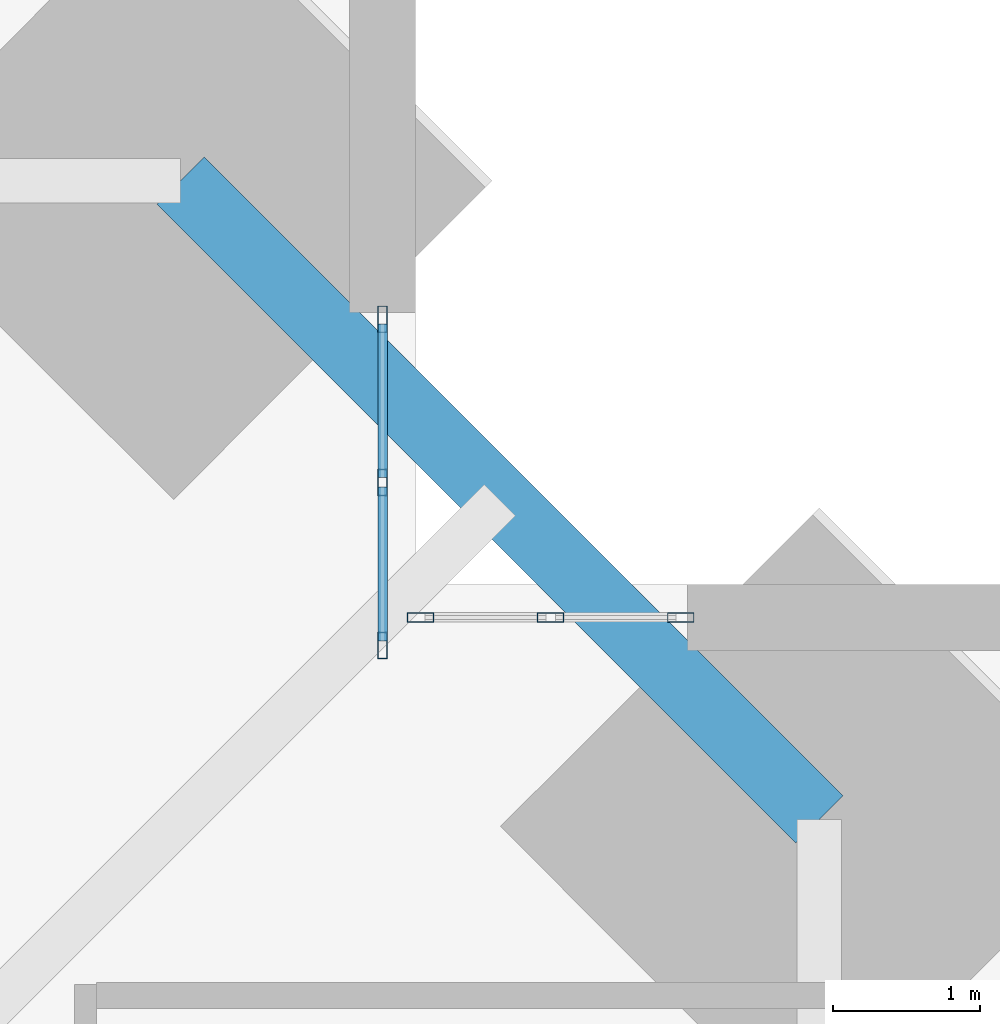
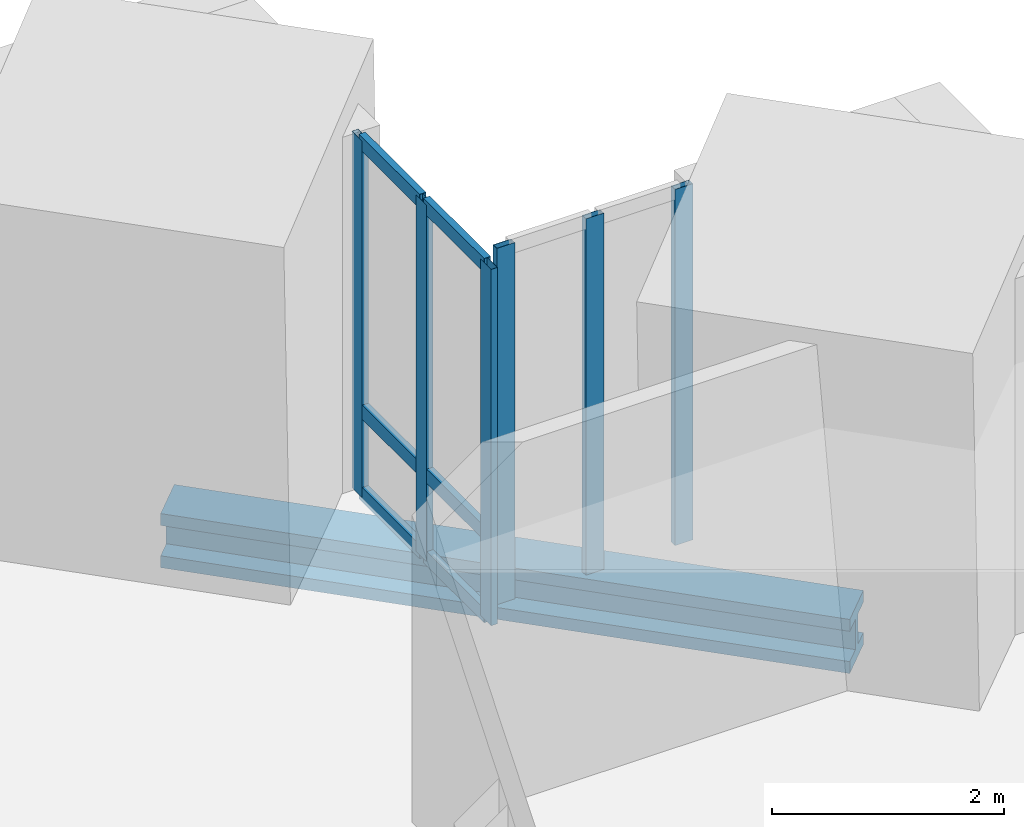
# One storey, part 8 of 15: 12 members, 1 beam, 2 elements without a shape of their own.
"""IFC4 building model written with IfcOpenShell, lengths in metres."""

from ifc_helpers import new_model, si_unit, direction, frame, origin, origin_2d, place, context, subcontext, project, spatial, hollow_rectangle, i_section, extrude, material, material_profile, profile_set, type_object, element, aggregate, save


model = new_model("IFC4")

# Units and contexts
model_context = context("Model", 3, precision=1e-05, world=origin(), true_north=direction((0.0, 1.0)))
body_context = subcontext(model_context, "Body", "Model", "MODEL_VIEW")
ifc_project = project(units=[si_unit("LENGTHUNIT", "METRE"), si_unit("AREAUNIT", "SQUARE_METRE"), si_unit("VOLUMEUNIT", "CUBIC_METRE"), si_unit("PLANEANGLEUNIT", "RADIAN"), si_unit("MASSUNIT", "GRAM", prefix="KILO")], contexts=[model_context])

# Site, building, storey
site_placement = place(None, origin())
site = spatial("IfcSite", under=ifc_project, at=site_placement, CompositionType="ELEMENT")
building_placement = place(site_placement, origin())
building = spatial("IfcBuilding", under=site, at=building_placement, Name="Peilmerk Tower", CompositionType="ELEMENT")
storey_placement = place(building_placement, frame((0.0, 0.0, 293.800048828125)))
storey = spatial("IfcBuildingStorey", under=building, at=storey_placement, Name="L66", CompositionType="ELEMENT", Elevation=293.800048828125)

# Beam
ifc_material_1 = material(Name="Steel S460", Category="steel")
ifc_material_profile_1 = material_profile(ifc_material_1, i_section(OverallWidth=0.4541015625, OverallDepth=0.569091796875, WebThickness=0.077880859375, FlangeThickness=0.125, at=origin_2d()), Name="HD 400x1086")
ifc_profile_set_1 = profile_set([ifc_material_profile_1], Name="Steel S460")
beam_type = type_object("IfcBeamType", Name="B17 HD 400x1086 edge beam", PredefinedType="SPANDREL", material=ifc_profile_set_1)
beam_placement = place(storey_placement, frame((14.699951171875, 19.050048828125, -0.45458984375), z_axis=(0.707106781187, -0.707106781187, 0.0), x_axis=(0.707106781187, 0.707106781187, 0.0)))
element("IfcBeam", 1, at=beam_placement, inside=storey, type_object=beam_type, Name="Notch beam L66", PredefinedType="SPANDREL", context=body_context, shape_type="SweptSolid", body=[
    extrude(i_section(OverallWidth=0.4541015625, OverallDepth=0.569091796875, WebThickness=0.077880859375, FlangeThickness=0.125, at=origin_2d()), origin(), (0.0, 0.0, 1.0), 6.15185546875),
])

# Curtain wall, members
ifc_material_2 = material(Name="Aluminium stick curtain wall", Category="aluminium")
curtain_wall_type = type_object("IfcCurtainWallType", Name="CW4 stick curtain wall, 2250 module", PredefinedType="NOTDEFINED", material=ifc_material_2)
curtain_wall_1_placement = place(storey_placement, origin())
curtain_wall_1 = element("IfcCurtainWall", 2, at=curtain_wall_1_placement, inside=storey, type_object=curtain_wall_type, Name="Curtain wall CW4 NEA L66", PredefinedType="NOTDEFINED")
ifc_material_3 = material(Name="Aluminium EN AW-6063 T6", Category="aluminium")
ifc_material_profile_2 = material_profile(ifc_material_3, hollow_rectangle(XDim=0.06494140625, YDim=0.179931640625, WallThickness=0.0029296875, at=origin_2d()), Name="AL 180x65x3")
ifc_profile_set_2 = profile_set([ifc_material_profile_2], Name="Aluminium EN AW-6063 T6")
member_type_1 = type_object("IfcMemberType", Name="CW4-M AL 180x65x3 mullion", PredefinedType="MULLION", material=ifc_profile_set_2)
member_1_placement = place(storey_placement, frame((16.074951171875, 15.882568359375, 0.0), z_axis=(0.0, 0.0, 1.0), x_axis=(-1.0, 0.0, 0.0)))
member_1 = element("IfcMember", 3, at=member_1_placement, type_object=member_type_1, Name="CW4 mullion 1", PredefinedType="MULLION", context=body_context, shape_type="SweptSolid", body=[
    extrude(hollow_rectangle(XDim=0.06494140625, YDim=0.179931640625, WallThickness=0.0029296875, at=origin_2d()), origin(), (0.0, 0.0, 1.0), 3.75),
])
member_2_placement = place(storey_placement, frame((16.074951171875, 16.994384765625, 0.0), z_axis=(0.0, 0.0, 1.0), x_axis=(-1.0, 0.0, 0.0)))
member_2 = element("IfcMember", 4, at=member_2_placement, type_object=member_type_1, Name="CW4 mullion 2", PredefinedType="MULLION", context=body_context, shape_type="SweptSolid", body=[
    extrude(hollow_rectangle(XDim=0.06494140625, YDim=0.179931640625, WallThickness=0.0029296875, at=origin_2d()), origin(), (0.0, 0.0, 1.0), 3.75),
])
member_3_placement = place(storey_placement, frame((16.074951171875, 18.106201171875, 0.0), z_axis=(0.0, 0.0, 1.0), x_axis=(-1.0, 0.0, 0.0)))
member_3 = element("IfcMember", 5, at=member_3_placement, type_object=member_type_1, Name="CW4 mullion 3", PredefinedType="MULLION", context=body_context, shape_type="SweptSolid", body=[
    extrude(hollow_rectangle(XDim=0.06494140625, YDim=0.179931640625, WallThickness=0.0029296875, at=origin_2d()), origin(), (0.0, 0.0, 1.0), 3.75),
])

curtain_wall_2_placement = place(storey_placement, origin())
curtain_wall_2 = element("IfcCurtainWall", 6, at=curtain_wall_2_placement, inside=storey, type_object=curtain_wall_type, Name="Curtain wall CW4 NEB L66", PredefinedType="NOTDEFINED")
member_4_placement = place(storey_placement, frame((16.33251953125, 16.074951171875, 0.0), z_axis=(0.0, 0.0, 1.0), x_axis=(0.0, 1.0, 0.0)))
member_4 = element("IfcMember", 7, at=member_4_placement, type_object=member_type_1, Name="CW4 mullion 1", PredefinedType="MULLION", context=body_context, shape_type="SweptSolid", body=[
    extrude(hollow_rectangle(XDim=0.06494140625, YDim=0.179931640625, WallThickness=0.0029296875, at=origin_2d()), origin(), (0.0, 0.0, 1.0), 3.75),
])
member_5_placement = place(storey_placement, frame((17.21923828125, 16.074951171875, 0.0), z_axis=(0.0, 0.0, 1.0), x_axis=(0.0, 1.0, 0.0)))
member_5 = element("IfcMember", 8, at=member_5_placement, type_object=member_type_1, Name="CW4 mullion 2", PredefinedType="MULLION", context=body_context, shape_type="SweptSolid", body=[
    extrude(hollow_rectangle(XDim=0.06494140625, YDim=0.179931640625, WallThickness=0.0029296875, at=origin_2d()), origin(), (0.0, 0.0, 1.0), 3.75),
])
member_6_placement = place(storey_placement, frame((18.106201171875, 16.074951171875, 0.0), z_axis=(0.0, 0.0, 1.0), x_axis=(0.0, 1.0, 0.0)))
member_6 = element("IfcMember", 9, at=member_6_placement, type_object=member_type_1, Name="CW4 mullion 3", PredefinedType="MULLION", context=body_context, shape_type="SweptSolid", body=[
    extrude(hollow_rectangle(XDim=0.06494140625, YDim=0.179931640625, WallThickness=0.0029296875, at=origin_2d()), origin(), (0.0, 0.0, 1.0), 3.75),
])
aggregate(curtain_wall_2, [member_4, member_5, member_6])

# Member
ifc_material_profile_3 = material_profile(ifc_material_3, hollow_rectangle(XDim=0.06494140625, YDim=0.14990234375, WallThickness=0.0029296875, at=origin_2d()), Name="AL 150x65x3")
ifc_profile_set_3 = profile_set([ifc_material_profile_3], Name="Aluminium EN AW-6063 T6")
member_type_2 = type_object("IfcMemberType", Name="CW4-T AL 150x65x3 transom", PredefinedType="USERDEFINED", material=ifc_profile_set_3)
member_7_placement = place(storey_placement, frame((16.074951171875, 15.9150390625, 0.032470703125), z_axis=(0.0, 1.0, 0.0), x_axis=(-1.0, 0.0, 0.0)))
member_7 = element("IfcMember", 10, at=member_7_placement, type_object=member_type_2, Name="CW4 transom 1.1", ObjectType="TRANSOM", PredefinedType="USERDEFINED", context=body_context, shape_type="SweptSolid", body=[
    extrude(hollow_rectangle(XDim=0.06494140625, YDim=0.14990234375, WallThickness=0.0029296875, at=origin_2d()), origin(), (0.0, 0.0, 1.0), 1.046875),
])

member_8_placement = place(storey_placement, frame((16.074951171875, 15.9150390625, 0.89990234375), z_axis=(0.0, 1.0, 0.0), x_axis=(-1.0, 0.0, 0.0)))
member_8 = element("IfcMember", 11, at=member_8_placement, type_object=member_type_2, Name="CW4 transom 1.2", ObjectType="TRANSOM", PredefinedType="USERDEFINED", context=body_context, shape_type="SweptSolid", body=[
    extrude(hollow_rectangle(XDim=0.06494140625, YDim=0.14990234375, WallThickness=0.0029296875, at=origin_2d()), origin(), (0.0, 0.0, 1.0), 1.046875),
])

member_9_placement = place(storey_placement, frame((16.074951171875, 15.9150390625, 3.717529296875), z_axis=(0.0, 1.0, 0.0), x_axis=(-1.0, 0.0, 0.0)))
member_9 = element("IfcMember", 12, at=member_9_placement, type_object=member_type_2, Name="CW4 transom 1.3", ObjectType="TRANSOM", PredefinedType="USERDEFINED", context=body_context, shape_type="SweptSolid", body=[
    extrude(hollow_rectangle(XDim=0.06494140625, YDim=0.14990234375, WallThickness=0.0029296875, at=origin_2d()), origin(), (0.0, 0.0, 1.0), 1.046875),
])

member_10_placement = place(storey_placement, frame((16.074951171875, 17.02685546875, 0.032470703125), z_axis=(0.0, 1.0, 0.0), x_axis=(-1.0, 0.0, 0.0)))
member_10 = element("IfcMember", 13, at=member_10_placement, type_object=member_type_2, Name="CW4 transom 2.1", ObjectType="TRANSOM", PredefinedType="USERDEFINED", context=body_context, shape_type="SweptSolid", body=[
    extrude(hollow_rectangle(XDim=0.06494140625, YDim=0.14990234375, WallThickness=0.0029296875, at=origin_2d()), origin(), (0.0, 0.0, 1.0), 1.046875),
])

member_11_placement = place(storey_placement, frame((16.074951171875, 17.02685546875, 0.89990234375), z_axis=(0.0, 1.0, 0.0), x_axis=(-1.0, 0.0, 0.0)))
member_11 = element("IfcMember", 14, at=member_11_placement, type_object=member_type_2, Name="CW4 transom 2.2", ObjectType="TRANSOM", PredefinedType="USERDEFINED", context=body_context, shape_type="SweptSolid", body=[
    extrude(hollow_rectangle(XDim=0.06494140625, YDim=0.14990234375, WallThickness=0.0029296875, at=origin_2d()), origin(), (0.0, 0.0, 1.0), 1.046875),
])

member_12_placement = place(storey_placement, frame((16.074951171875, 17.02685546875, 3.717529296875), z_axis=(0.0, 1.0, 0.0), x_axis=(-1.0, 0.0, 0.0)))
member_12 = element("IfcMember", 15, at=member_12_placement, type_object=member_type_2, Name="CW4 transom 2.3", ObjectType="TRANSOM", PredefinedType="USERDEFINED", context=body_context, shape_type="SweptSolid", body=[
    extrude(hollow_rectangle(XDim=0.06494140625, YDim=0.14990234375, WallThickness=0.0029296875, at=origin_2d()), origin(), (0.0, 0.0, 1.0), 1.046875),
])

aggregate(curtain_wall_1, [member_1, member_2, member_3, member_7, member_8, member_9, member_10, member_11, member_12])

save(model, "model.ifc")
